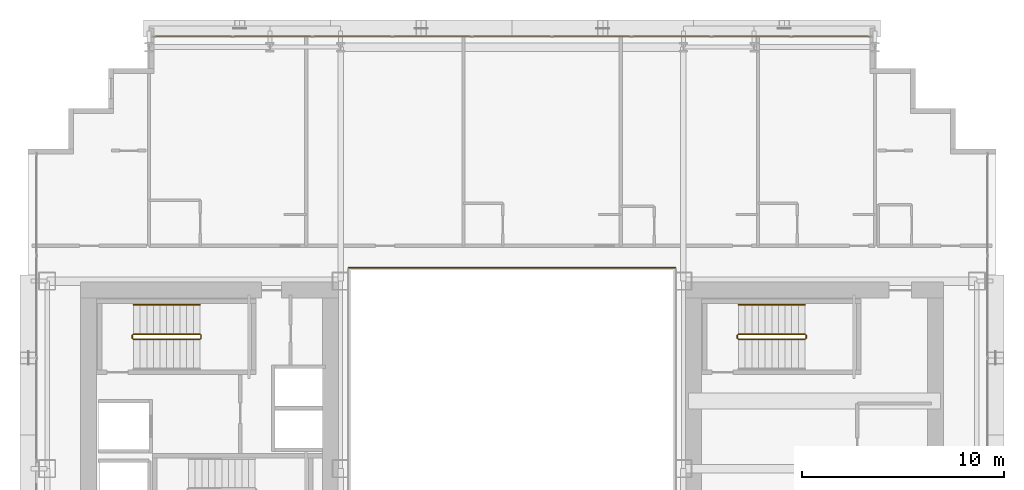
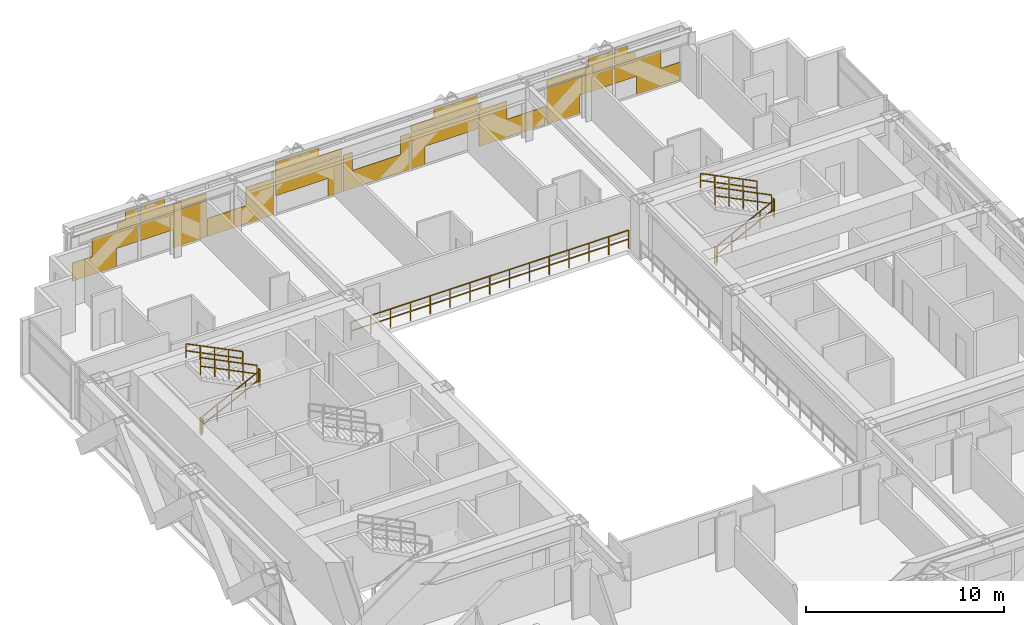
# One storey, part 35 of 35: 11 railings, 1 covering.
"""IFC4 building model written with IfcOpenShell, lengths in metres."""

from ifc_helpers import new_model, si_unit, direction, frame, origin, origin_2d, place, context, subcontext, project, spatial, rectangle, extrude, material, layer, layer_set, type_object, element, save


model = new_model("IFC4")

# Units and contexts
model_context = context("Model", 3, precision=1e-05, world=origin(), true_north=direction((0.0, 1.0)))
body_context = subcontext(model_context, "Body", "Model", "MODEL_VIEW")
ifc_project = project(units=[si_unit("LENGTHUNIT", "METRE"), si_unit("AREAUNIT", "SQUARE_METRE"), si_unit("VOLUMEUNIT", "CUBIC_METRE"), si_unit("PLANEANGLEUNIT", "RADIAN"), si_unit("MASSUNIT", "GRAM", prefix="KILO")], contexts=[model_context])

# Site, building, storey
site_placement = place(None, origin())
site = spatial("IfcSite", under=ifc_project, at=site_placement, CompositionType="ELEMENT")
building_placement = place(site_placement, origin())
building = spatial("IfcBuilding", under=site, at=building_placement, Name="Ocotamira Hotel", CompositionType="ELEMENT")
storey_placement = place(building_placement, frame((0.0, 0.0, 56.39990234375)))
storey = spatial("IfcBuildingStorey", under=building, at=storey_placement, Name="L13", CompositionType="ELEMENT", Elevation=56.39990234375)

# Covering
ifc_material_1 = material(Name="Insulated pale-metal aluminium spandrel panel", Category="aluminium")
ifc_layer = layer(ifc_material_1, 0.044921875)
ifc_layer_set = layer_set([ifc_layer], Name="Insulated pale-metal aluminium spandrel panel")
covering_type = type_object("IfcCoveringType", Name="COV-INFILL-45", PredefinedType="CLADDING", material=ifc_layer_set)
covering_placement = place(storey_placement, origin())
element("IfcCovering", 1, at=covering_placement, inside=storey, type_object=covering_type, Name="L13 Curtain Wall Infill CW-2 CW-L13-N", PredefinedType="CLADDING", context=body_context, shape_type="SweptSolid", body=[
    extrude(rectangle(XDim=2.556396484375, YDim=0.044921875, at=origin_2d()), frame((15.558837890625, 49.580078125, 0.07568359375), z_axis=(0.0, 0.0, 1.0), x_axis=(1.0, 0.0, 0.0)), (0.0, 0.0, 1.0), 1.11767578125),
    extrude(rectangle(XDim=2.7177734375, YDim=0.044921875, at=origin_2d()), frame((16.756103515625, 49.580078125, 1.1943359375), z_axis=(0.0, 0.0, 1.0), x_axis=(1.0, 0.0, 0.0)), (0.0, 0.0, 1.0), 1.11767578125),
    extrude(rectangle(XDim=3.834716796875, YDim=0.044921875, at=origin_2d()), frame((16.19775390625, 49.580078125, 2.733642578125), z_axis=(0.0, 0.0, 1.0), x_axis=(1.0, 0.0, 0.0)), (0.0, 0.0, 1.0), 0.0302734375),
    extrude(rectangle(XDim=1.2255859375, YDim=0.044921875, at=origin_2d()), frame((17.502197265625, 49.580078125, 2.38818359375), z_axis=(0.0, 0.0, 1.0), x_axis=(1.0, 0.0, 0.0)), (0.0, 0.0, 1.0), 0.344482421875),
    extrude(rectangle(XDim=0.754638671875, YDim=0.044921875, at=origin_2d()), frame((17.73779296875, 49.580078125, 2.764892578125), z_axis=(0.0, 0.0, 1.0), x_axis=(1.0, 0.0, 0.0)), (0.0, 0.0, 1.0), 0.509765625),
    extrude(rectangle(XDim=3.87451171875, YDim=0.044921875, at=origin_2d()), frame((20.13330078125, 49.580078125, 1.1943359375), z_axis=(0.0, 0.0, 1.0), x_axis=(1.0, 0.0, 0.0)), (0.0, 0.0, 1.0), 1.11767578125),
    extrude(rectangle(XDim=1.90771484375, YDim=0.044921875, at=origin_2d()), frame((21.11669921875, 49.580078125, 0.07568359375), z_axis=(0.0, 0.0, 1.0), x_axis=(1.0, 0.0, 0.0)), (0.0, 0.0, 1.0), 1.11767578125),
    extrude(rectangle(XDim=3.87451171875, YDim=0.044921875, at=origin_2d()), frame((20.13330078125, 49.580078125, 2.38818359375), z_axis=(0.0, 0.0, 1.0), x_axis=(1.0, 0.0, 0.0)), (0.0, 0.0, 1.0), 0.375732421875),
    extrude(rectangle(XDim=1.443603515625, YDim=0.044921875, at=origin_2d()), frame((18.917724609375, 49.580078125, 2.764892578125), z_axis=(0.0, 0.0, 1.0), x_axis=(1.0, 0.0, 0.0)), (0.0, 0.0, 1.0), 0.509765625),
    extrude(rectangle(XDim=3.87451171875, YDim=0.044921875, at=origin_2d()), frame((24.0888671875, 49.580078125, 0.07568359375), z_axis=(0.0, 0.0, 1.0), x_axis=(1.0, 0.0, 0.0)), (0.0, 0.0, 1.0), 1.11767578125),
    extrude(rectangle(XDim=1.62890625, YDim=0.044921875, at=origin_2d()), frame((25.2119140625, 49.580078125, 1.1943359375), z_axis=(0.0, 0.0, 1.0), x_axis=(1.0, 0.0, 0.0)), (0.0, 0.0, 1.0), 1.11767578125),
    extrude(rectangle(XDim=0.13671875, YDim=0.044921875, at=origin_2d()), frame((25.957763671875, 49.580078125, 2.38818359375), z_axis=(0.0, 0.0, 1.0), x_axis=(1.0, 0.0, 0.0)), (0.0, 0.0, 1.0), 0.375732421875),
    extrude(rectangle(XDim=3.87451171875, YDim=0.044921875, at=origin_2d()), frame((28.04443359375, 49.580078125, 1.1943359375), z_axis=(0.0, 0.0, 1.0), x_axis=(1.0, 0.0, 0.0)), (0.0, 0.0, 1.0), 1.11767578125),
    extrude(rectangle(XDim=0.81884765625, YDim=0.044921875, at=origin_2d()), frame((29.572265625, 49.580078125, 0.07568359375), z_axis=(0.0, 0.0, 1.0), x_axis=(1.0, 0.0, 0.0)), (0.0, 0.0, 1.0), 1.11767578125),
    extrude(rectangle(XDim=3.87451171875, YDim=0.044921875, at=origin_2d()), frame((28.04443359375, 49.580078125, 2.38818359375), z_axis=(0.0, 0.0, 1.0), x_axis=(1.0, 0.0, 0.0)), (0.0, 0.0, 1.0), 0.375732421875),
    extrude(rectangle(XDim=2.532470703125, YDim=0.044921875, at=origin_2d()), frame((27.373291015625, 49.580078125, 2.764892578125), z_axis=(0.0, 0.0, 1.0), x_axis=(1.0, 0.0, 0.0)), (0.0, 0.0, 1.0), 0.509765625),
    extrude(rectangle(XDim=3.87451171875, YDim=0.044921875, at=origin_2d()), frame((32.0, 49.580078125, 0.07568359375), z_axis=(0.0, 0.0, 1.0), x_axis=(1.0, 0.0, 0.0)), (0.0, 0.0, 1.0), 1.11767578125),
    extrude(rectangle(XDim=0.539794921875, YDim=0.044921875, at=origin_2d()), frame((30.332763671875, 49.580078125, 1.1943359375), z_axis=(0.0, 0.0, 1.0), x_axis=(1.0, 0.0, 0.0)), (0.0, 0.0, 1.0), 1.11767578125),
    extrude(rectangle(XDim=0.539794921875, YDim=0.044921875, at=origin_2d()), frame((33.667236328125, 49.580078125, 1.1943359375), z_axis=(0.0, 0.0, 1.0), x_axis=(1.0, 0.0, 0.0)), (0.0, 0.0, 1.0), 1.11767578125),
    extrude(rectangle(XDim=0.81884765625, YDim=0.044921875, at=origin_2d()), frame((34.427734375, 49.580078125, 0.07568359375), z_axis=(0.0, 0.0, 1.0), x_axis=(1.0, 0.0, 0.0)), (0.0, 0.0, 1.0), 1.11767578125),
    extrude(rectangle(XDim=3.87451171875, YDim=0.044921875, at=origin_2d()), frame((35.95556640625, 49.580078125, 1.1943359375), z_axis=(0.0, 0.0, 1.0), x_axis=(1.0, 0.0, 0.0)), (0.0, 0.0, 1.0), 1.11767578125),
    extrude(rectangle(XDim=3.87451171875, YDim=0.044921875, at=origin_2d()), frame((35.95556640625, 49.580078125, 2.38818359375), z_axis=(0.0, 0.0, 1.0), x_axis=(1.0, 0.0, 0.0)), (0.0, 0.0, 1.0), 0.375732421875),
    extrude(rectangle(XDim=2.532470703125, YDim=0.044921875, at=origin_2d()), frame((36.626708984375, 49.580078125, 2.764892578125), z_axis=(0.0, 0.0, 1.0), x_axis=(1.0, 0.0, 0.0)), (0.0, 0.0, 1.0), 0.509765625),
    extrude(rectangle(XDim=3.87451171875, YDim=0.044921875, at=origin_2d()), frame((39.9111328125, 49.580078125, 0.07568359375), z_axis=(0.0, 0.0, 1.0), x_axis=(1.0, 0.0, 0.0)), (0.0, 0.0, 1.0), 1.11767578125),
    extrude(rectangle(XDim=1.62890625, YDim=0.044921875, at=origin_2d()), frame((38.7880859375, 49.580078125, 1.1943359375), z_axis=(0.0, 0.0, 1.0), x_axis=(1.0, 0.0, 0.0)), (0.0, 0.0, 1.0), 1.11767578125),
    extrude(rectangle(XDim=0.13671875, YDim=0.044921875, at=origin_2d()), frame((38.042236328125, 49.580078125, 2.38818359375), z_axis=(0.0, 0.0, 1.0), x_axis=(1.0, 0.0, 0.0)), (0.0, 0.0, 1.0), 0.375732421875),
    extrude(rectangle(XDim=1.90771484375, YDim=0.044921875, at=origin_2d()), frame((42.88330078125, 49.580078125, 0.07568359375), z_axis=(0.0, 0.0, 1.0), x_axis=(1.0, 0.0, 0.0)), (0.0, 0.0, 1.0), 1.11767578125),
    extrude(rectangle(XDim=3.87451171875, YDim=0.044921875, at=origin_2d()), frame((43.86669921875, 49.580078125, 1.1943359375), z_axis=(0.0, 0.0, 1.0), x_axis=(1.0, 0.0, 0.0)), (0.0, 0.0, 1.0), 1.11767578125),
    extrude(rectangle(XDim=3.87451171875, YDim=0.044921875, at=origin_2d()), frame((43.86669921875, 49.580078125, 2.38818359375), z_axis=(0.0, 0.0, 1.0), x_axis=(1.0, 0.0, 0.0)), (0.0, 0.0, 1.0), 0.375732421875),
    extrude(rectangle(XDim=1.443603515625, YDim=0.044921875, at=origin_2d()), frame((45.082275390625, 49.580078125, 2.764892578125), z_axis=(0.0, 0.0, 1.0), x_axis=(1.0, 0.0, 0.0)), (0.0, 0.0, 1.0), 0.509765625),
    extrude(rectangle(XDim=2.7177734375, YDim=0.044921875, at=origin_2d()), frame((47.243896484375, 49.580078125, 1.1943359375), z_axis=(0.0, 0.0, 1.0), x_axis=(1.0, 0.0, 0.0)), (0.0, 0.0, 1.0), 1.11767578125),
    extrude(rectangle(XDim=2.556396484375, YDim=0.044921875, at=origin_2d()), frame((48.441162109375, 49.580078125, 0.07568359375), z_axis=(0.0, 0.0, 1.0), x_axis=(1.0, 0.0, 0.0)), (0.0, 0.0, 1.0), 1.11767578125),
    extrude(rectangle(XDim=1.2255859375, YDim=0.044921875, at=origin_2d()), frame((46.497802734375, 49.580078125, 2.38818359375), z_axis=(0.0, 0.0, 1.0), x_axis=(1.0, 0.0, 0.0)), (0.0, 0.0, 1.0), 0.344482421875),
    extrude(rectangle(XDim=3.834716796875, YDim=0.044921875, at=origin_2d()), frame((47.80224609375, 49.580078125, 2.733642578125), z_axis=(0.0, 0.0, 1.0), x_axis=(1.0, 0.0, 0.0)), (0.0, 0.0, 1.0), 0.0302734375),
    extrude(rectangle(XDim=0.754638671875, YDim=0.044921875, at=origin_2d()), frame((46.26220703125, 49.580078125, 2.764892578125), z_axis=(0.0, 0.0, 1.0), x_axis=(1.0, 0.0, 0.0)), (0.0, 0.0, 1.0), 0.509765625),
])

# Railings
ifc_material_2 = material(Name="Painted steel stair guardrail", Category="steel")
railing_type_1 = type_object("IfcRailingType", Name="RL-EDGE-1150", PredefinedType="GUARDRAIL", material=ifc_material_2)
railing_1_placement = place(storey_placement, frame((40.10009765625, 38.1201171875, 0.0)))
element("IfcRailing", 2, at=railing_1_placement, inside=storey, type_object=railing_type_1, Name="L13 Central Atrium Edge Guardrail N", PredefinedType="GUARDRAIL", context=body_context, shape_type="SweptSolid", body=[
    extrude(rectangle(XDim=0.048095703125, YDim=0.048095703125, at=origin_2d()), frame((0.0, 0.0, 1.1259765625), z_axis=(-1.0, 0.0, 0.0), x_axis=(0.0, -1.0, 0.0)), (0.0, 0.0, 1.0), 16.2001953125),
    extrude(rectangle(XDim=0.048095703125, YDim=0.048095703125, at=origin_2d()), frame((0.0, 0.0, 0.574951171875), z_axis=(-1.0, 0.0, 0.0), x_axis=(0.0, -1.0, 0.0)), (0.0, 0.0, 1.0), 16.2001953125),
    extrude(rectangle(XDim=0.0419921875, YDim=0.0419921875, at=origin_2d()), origin(), (0.0, 0.0, 1.0), 1.101806640625),
    extrude(rectangle(XDim=0.0419921875, YDim=0.0419921875, at=origin_2d()), frame((-1.1572265625, 0.0, 0.0)), (0.0, 0.0, 1.0), 1.101806640625),
    extrude(rectangle(XDim=0.0419921875, YDim=0.0419921875, at=origin_2d()), frame((-2.314208984375, 0.0, 0.0)), (0.0, 0.0, 1.0), 1.101806640625),
    extrude(rectangle(XDim=0.0419921875, YDim=0.0419921875, at=origin_2d()), frame((-3.471435546875, 0.0, 0.0)), (0.0, 0.0, 1.0), 1.101806640625),
    extrude(rectangle(XDim=0.0419921875, YDim=0.0419921875, at=origin_2d()), frame((-4.628662109375, 0.0, 0.0)), (0.0, 0.0, 1.0), 1.101806640625),
    extrude(rectangle(XDim=0.0419921875, YDim=0.0419921875, at=origin_2d()), frame((-5.785888671875, 0.0, 0.0)), (0.0, 0.0, 1.0), 1.101806640625),
    extrude(rectangle(XDim=0.0419921875, YDim=0.0419921875, at=origin_2d()), frame((-6.94287109375, 0.0, 0.0)), (0.0, 0.0, 1.0), 1.101806640625),
    extrude(rectangle(XDim=0.0419921875, YDim=0.0419921875, at=origin_2d()), frame((-8.10009765625, 0.0, 0.0)), (0.0, 0.0, 1.0), 1.101806640625),
    extrude(rectangle(XDim=0.0419921875, YDim=0.0419921875, at=origin_2d()), frame((-9.25732421875, 0.0, 0.0)), (0.0, 0.0, 1.0), 1.101806640625),
    extrude(rectangle(XDim=0.0419921875, YDim=0.0419921875, at=origin_2d()), frame((-10.414306640625, 0.0, 0.0)), (0.0, 0.0, 1.0), 1.101806640625),
    extrude(rectangle(XDim=0.0419921875, YDim=0.0419921875, at=origin_2d()), frame((-11.571533203125, 0.0, 0.0)), (0.0, 0.0, 1.0), 1.101806640625),
    extrude(rectangle(XDim=0.0419921875, YDim=0.0419921875, at=origin_2d()), frame((-12.728759765625, 0.0, 0.0)), (0.0, 0.0, 1.0), 1.101806640625),
    extrude(rectangle(XDim=0.0419921875, YDim=0.0419921875, at=origin_2d()), frame((-13.885986328125, 0.0, 0.0)), (0.0, 0.0, 1.0), 1.101806640625),
    extrude(rectangle(XDim=0.0419921875, YDim=0.0419921875, at=origin_2d()), frame((-15.04296875, 0.0, 0.0)), (0.0, 0.0, 1.0), 1.101806640625),
    extrude(rectangle(XDim=0.0419921875, YDim=0.0419921875, at=origin_2d()), frame((-16.2001953125, 0.0, 0.0)), (0.0, 0.0, 1.0), 1.101806640625),
])
ifc_material_3 = material(Name="Brushed stainless steel handrail", Category="steel")
railing_type_2 = type_object("IfcRailingType", Name="RL-HAND-900", PredefinedType="HANDRAIL", material=ifc_material_3)
for number, where, name in (
    (3, (16.530029296875, 36.280029296875, 2.12744140625), "L13 ST-2 stair handrail 2"),
    (4, (46.530029296875, 36.280029296875, 2.12744140625), "L13 ST-4 stair handrail 2"),
):
    element("IfcRailing", number, at=place(storey_placement, frame(where)), inside=storey, type_object=railing_type_2, Name=name, PredefinedType="HANDRAIL", context=body_context, shape_type="SweptSolid", body=[
        extrude(rectangle(XDim=0.048095703125, YDim=0.048095703125, at=origin_2d()), frame((0.0, 0.0, 0.8759765625), z_axis=(-0.895920123917, 0.0, 0.444215186098), x_axis=(0.0, -1.0, 0.0)), (0.0, 0.0, 1.0), 3.683349609375),
        extrude(rectangle(XDim=0.048095703125, YDim=0.048095703125, at=origin_2d()), frame((0.0, 0.0, 0.449951171875), z_axis=(-0.895920123917, 0.0, 0.444215186098), x_axis=(0.0, -1.0, 0.0)), (0.0, 0.0, 1.0), 3.683349609375),
        extrude(rectangle(XDim=0.0419921875, YDim=0.0419921875, at=origin_2d()), origin(), (0.0, 0.0, 1.0), 0.851806640625),
        extrude(rectangle(XDim=0.0419921875, YDim=0.0419921875, at=origin_2d()), frame((-0.824951171875, 0.0, 0.4091796875)), (0.0, 0.0, 1.0), 0.851806640625),
        extrude(rectangle(XDim=0.0419921875, YDim=0.0419921875, at=origin_2d()), frame((-1.64990234375, 0.0, 0.818115234375)), (0.0, 0.0, 1.0), 0.851806640625),
        extrude(rectangle(XDim=0.0419921875, YDim=0.0419921875, at=origin_2d()), frame((-2.47509765625, 0.0, 1.22705078125)), (0.0, 0.0, 1.0), 0.851806640625),
        extrude(rectangle(XDim=0.0419921875, YDim=0.0419921875, at=origin_2d()), frame((-3.300048828125, 0.0, 1.63623046875)), (0.0, 0.0, 1.0), 0.851806640625),
    ])
railing_type_3 = type_object("IfcRailingType", Name="RL-STAIR-1100", PredefinedType="GUARDRAIL", material=ifc_material_2)
railing_2_placement = place(storey_placement, frame((13.22998046875, 34.56005859375, 0.163818359375)))
element("IfcRailing", 5, at=railing_2_placement, inside=storey, type_object=railing_type_3, Name="L13 ST-2 stair guard 1", PredefinedType="GUARDRAIL", context=body_context, shape_type="SweptSolid", body=[
    extrude(rectangle(XDim=0.048095703125, YDim=0.048095703125, at=origin_2d()), frame((0.0, 0.0, 1.076171875), z_axis=(0.895920123917, 0.0, 0.444215186098), x_axis=(0.0, 1.0, 0.0)), (0.0, 0.0, 1.0), 3.683349609375),
    extrude(rectangle(XDim=0.048095703125, YDim=0.048095703125, at=origin_2d()), frame((0.0, 0.0, 0.550048828125), z_axis=(0.895920123917, 0.0, 0.444215186098), x_axis=(0.0, 1.0, 0.0)), (0.0, 0.0, 1.0), 3.683349609375),
    extrude(rectangle(XDim=0.0419921875, YDim=0.0419921875, at=origin_2d()), origin(), (0.0, 0.0, 1.0), 1.052001953125),
    extrude(rectangle(XDim=0.0419921875, YDim=0.0419921875, at=origin_2d()), frame((0.824951171875, 0.0, 0.4091796875)), (0.0, 0.0, 1.0), 1.052001953125),
    extrude(rectangle(XDim=0.0419921875, YDim=0.0419921875, at=origin_2d()), frame((1.64990234375, 0.0, 0.818115234375)), (0.0, 0.0, 1.0), 1.052001953125),
    extrude(rectangle(XDim=0.0419921875, YDim=0.0419921875, at=origin_2d()), frame((2.47509765625, 0.0, 1.22705078125)), (0.0, 0.0, 1.0), 1.052001953125),
    extrude(rectangle(XDim=0.0419921875, YDim=0.0419921875, at=origin_2d()), frame((3.300048828125, 0.0, 1.63623046875)), (0.0, 0.0, 1.0), 1.052001953125),
])
railing_3_placement = place(storey_placement, frame((16.580078125, 34.610107421875, 1.800048828125)))
element("IfcRailing", 6, at=railing_3_placement, inside=storey, type_object=railing_type_3, Name="L13 ST-2 stair guard 2", PredefinedType="GUARDRAIL", context=body_context, shape_type="SweptSolid", body=[
    extrude(rectangle(XDim=0.048095703125, YDim=0.048095703125, at=origin_2d()), frame((0.0, 0.0, 1.076171875), z_axis=(0.0, 1.0, 0.0), x_axis=(-1.0, 0.0, 0.0)), (0.0, 0.0, 1.0), 0.159912109375),
    extrude(rectangle(XDim=0.048095703125, YDim=0.048095703125, at=origin_2d()), frame((0.0, 0.0, 0.550048828125), z_axis=(0.0, 1.0, 0.0), x_axis=(-1.0, 0.0, 0.0)), (0.0, 0.0, 1.0), 0.159912109375),
    extrude(rectangle(XDim=0.0419921875, YDim=0.0419921875, at=origin_2d()), origin(), (0.0, 0.0, 1.0), 1.052001953125),
    extrude(rectangle(XDim=0.0419921875, YDim=0.0419921875, at=origin_2d()), frame((0.0, 0.159912109375, 0.0)), (0.0, 0.0, 1.0), 1.052001953125),
])
railing_4_placement = place(storey_placement, frame((16.530029296875, 34.820068359375, 1.963623046875)))
element("IfcRailing", 7, at=railing_4_placement, inside=storey, type_object=railing_type_3, Name="L13 ST-2 stair guard 3", PredefinedType="GUARDRAIL", context=body_context, shape_type="SweptSolid", body=[
    extrude(rectangle(XDim=0.048095703125, YDim=0.048095703125, at=origin_2d()), frame((0.0, 0.0, 1.076171875), z_axis=(-0.895893744519, 0.0, 0.4442683857), x_axis=(0.0, -1.0, 0.0)), (0.0, 0.0, 1.0), 3.68359375),
    extrude(rectangle(XDim=0.048095703125, YDim=0.048095703125, at=origin_2d()), frame((0.0, 0.0, 0.550048828125), z_axis=(-0.895893744519, 0.0, 0.4442683857), x_axis=(0.0, -1.0, 0.0)), (0.0, 0.0, 1.0), 3.68359375),
    extrude(rectangle(XDim=0.0419921875, YDim=0.0419921875, at=origin_2d()), origin(), (0.0, 0.0, 1.0), 1.052001953125),
    extrude(rectangle(XDim=0.0419921875, YDim=0.0419921875, at=origin_2d()), frame((-0.824951171875, 0.0, 0.4091796875)), (0.0, 0.0, 1.0), 1.052001953125),
    extrude(rectangle(XDim=0.0419921875, YDim=0.0419921875, at=origin_2d()), frame((-1.64990234375, 0.0, 0.818359375)), (0.0, 0.0, 1.0), 1.052001953125),
    extrude(rectangle(XDim=0.0419921875, YDim=0.0419921875, at=origin_2d()), frame((-2.47509765625, 0.0, 1.227294921875)), (0.0, 0.0, 1.0), 1.052001953125),
    extrude(rectangle(XDim=0.0419921875, YDim=0.0419921875, at=origin_2d()), frame((-3.300048828125, 0.0, 1.636474609375)), (0.0, 0.0, 1.0), 1.052001953125),
])
railing_5_placement = place(storey_placement, frame((13.179931640625, 34.610107421875, 0.0)))
element("IfcRailing", 8, at=railing_5_placement, inside=storey, type_object=railing_type_3, Name="L13 ST-2 stair guard 4", PredefinedType="GUARDRAIL", context=body_context, shape_type="SweptSolid", body=[
    extrude(rectangle(XDim=0.048095703125, YDim=0.048095703125, at=origin_2d()), frame((0.0, 0.0, 1.076171875), z_axis=(0.0, 1.0, 0.0), x_axis=(-1.0, 0.0, 0.0)), (0.0, 0.0, 1.0), 0.159912109375),
    extrude(rectangle(XDim=0.048095703125, YDim=0.048095703125, at=origin_2d()), frame((0.0, 0.0, 0.550048828125), z_axis=(0.0, 1.0, 0.0), x_axis=(-1.0, 0.0, 0.0)), (0.0, 0.0, 1.0), 0.159912109375),
    extrude(rectangle(XDim=0.0419921875, YDim=0.0419921875, at=origin_2d()), origin(), (0.0, 0.0, 1.0), 1.052001953125),
    extrude(rectangle(XDim=0.0419921875, YDim=0.0419921875, at=origin_2d()), frame((0.0, 0.159912109375, 0.0)), (0.0, 0.0, 1.0), 1.052001953125),
])
railing_6_placement = place(storey_placement, frame((43.22998046875, 34.56005859375, 0.163818359375)))
element("IfcRailing", 9, at=railing_6_placement, inside=storey, type_object=railing_type_3, Name="L13 ST-4 stair guard 1", PredefinedType="GUARDRAIL", context=body_context, shape_type="SweptSolid", body=[
    extrude(rectangle(XDim=0.048095703125, YDim=0.048095703125, at=origin_2d()), frame((0.0, 0.0, 1.076171875), z_axis=(0.895920123917, 0.0, 0.444215186098), x_axis=(0.0, 1.0, 0.0)), (0.0, 0.0, 1.0), 3.683349609375),
    extrude(rectangle(XDim=0.048095703125, YDim=0.048095703125, at=origin_2d()), frame((0.0, 0.0, 0.550048828125), z_axis=(0.895920123917, 0.0, 0.444215186098), x_axis=(0.0, 1.0, 0.0)), (0.0, 0.0, 1.0), 3.683349609375),
    extrude(rectangle(XDim=0.0419921875, YDim=0.0419921875, at=origin_2d()), origin(), (0.0, 0.0, 1.0), 1.052001953125),
    extrude(rectangle(XDim=0.0419921875, YDim=0.0419921875, at=origin_2d()), frame((0.824951171875, 0.0, 0.4091796875)), (0.0, 0.0, 1.0), 1.052001953125),
    extrude(rectangle(XDim=0.0419921875, YDim=0.0419921875, at=origin_2d()), frame((1.64990234375, 0.0, 0.818115234375)), (0.0, 0.0, 1.0), 1.052001953125),
    extrude(rectangle(XDim=0.0419921875, YDim=0.0419921875, at=origin_2d()), frame((2.47509765625, 0.0, 1.22705078125)), (0.0, 0.0, 1.0), 1.052001953125),
    extrude(rectangle(XDim=0.0419921875, YDim=0.0419921875, at=origin_2d()), frame((3.300048828125, 0.0, 1.63623046875)), (0.0, 0.0, 1.0), 1.052001953125),
])
railing_7_placement = place(storey_placement, frame((46.580078125, 34.610107421875, 1.800048828125)))
element("IfcRailing", 10, at=railing_7_placement, inside=storey, type_object=railing_type_3, Name="L13 ST-4 stair guard 2", PredefinedType="GUARDRAIL", context=body_context, shape_type="SweptSolid", body=[
    extrude(rectangle(XDim=0.048095703125, YDim=0.048095703125, at=origin_2d()), frame((0.0, 0.0, 1.076171875), z_axis=(0.0, 1.0, 0.0), x_axis=(-1.0, 0.0, 0.0)), (0.0, 0.0, 1.0), 0.159912109375),
    extrude(rectangle(XDim=0.048095703125, YDim=0.048095703125, at=origin_2d()), frame((0.0, 0.0, 0.550048828125), z_axis=(0.0, 1.0, 0.0), x_axis=(-1.0, 0.0, 0.0)), (0.0, 0.0, 1.0), 0.159912109375),
    extrude(rectangle(XDim=0.0419921875, YDim=0.0419921875, at=origin_2d()), origin(), (0.0, 0.0, 1.0), 1.052001953125),
    extrude(rectangle(XDim=0.0419921875, YDim=0.0419921875, at=origin_2d()), frame((0.0, 0.159912109375, 0.0)), (0.0, 0.0, 1.0), 1.052001953125),
])
railing_8_placement = place(storey_placement, frame((46.530029296875, 34.820068359375, 1.963623046875)))
element("IfcRailing", 11, at=railing_8_placement, inside=storey, type_object=railing_type_3, Name="L13 ST-4 stair guard 3", PredefinedType="GUARDRAIL", context=body_context, shape_type="SweptSolid", body=[
    extrude(rectangle(XDim=0.048095703125, YDim=0.048095703125, at=origin_2d()), frame((0.0, 0.0, 1.076171875), z_axis=(-0.895893744519, 0.0, 0.4442683857), x_axis=(0.0, -1.0, 0.0)), (0.0, 0.0, 1.0), 3.68359375),
    extrude(rectangle(XDim=0.048095703125, YDim=0.048095703125, at=origin_2d()), frame((0.0, 0.0, 0.550048828125), z_axis=(-0.895893744519, 0.0, 0.4442683857), x_axis=(0.0, -1.0, 0.0)), (0.0, 0.0, 1.0), 3.68359375),
    extrude(rectangle(XDim=0.0419921875, YDim=0.0419921875, at=origin_2d()), origin(), (0.0, 0.0, 1.0), 1.052001953125),
    extrude(rectangle(XDim=0.0419921875, YDim=0.0419921875, at=origin_2d()), frame((-0.824951171875, 0.0, 0.4091796875)), (0.0, 0.0, 1.0), 1.052001953125),
    extrude(rectangle(XDim=0.0419921875, YDim=0.0419921875, at=origin_2d()), frame((-1.64990234375, 0.0, 0.818359375)), (0.0, 0.0, 1.0), 1.052001953125),
    extrude(rectangle(XDim=0.0419921875, YDim=0.0419921875, at=origin_2d()), frame((-2.47509765625, 0.0, 1.227294921875)), (0.0, 0.0, 1.0), 1.052001953125),
    extrude(rectangle(XDim=0.0419921875, YDim=0.0419921875, at=origin_2d()), frame((-3.300048828125, 0.0, 1.636474609375)), (0.0, 0.0, 1.0), 1.052001953125),
])
railing_9_placement = place(storey_placement, frame((43.179931640625, 34.610107421875, 0.0)))
element("IfcRailing", 12, at=railing_9_placement, inside=storey, type_object=railing_type_3, Name="L13 ST-4 stair guard 4", PredefinedType="GUARDRAIL", context=body_context, shape_type="SweptSolid", body=[
    extrude(rectangle(XDim=0.048095703125, YDim=0.048095703125, at=origin_2d()), frame((0.0, 0.0, 1.076171875), z_axis=(0.0, 1.0, 0.0), x_axis=(-1.0, 0.0, 0.0)), (0.0, 0.0, 1.0), 0.159912109375),
    extrude(rectangle(XDim=0.048095703125, YDim=0.048095703125, at=origin_2d()), frame((0.0, 0.0, 0.550048828125), z_axis=(0.0, 1.0, 0.0), x_axis=(-1.0, 0.0, 0.0)), (0.0, 0.0, 1.0), 0.159912109375),
    extrude(rectangle(XDim=0.0419921875, YDim=0.0419921875, at=origin_2d()), origin(), (0.0, 0.0, 1.0), 1.052001953125),
    extrude(rectangle(XDim=0.0419921875, YDim=0.0419921875, at=origin_2d()), frame((0.0, 0.159912109375, 0.0)), (0.0, 0.0, 1.0), 1.052001953125),
])

save(model, "model.ifc")
